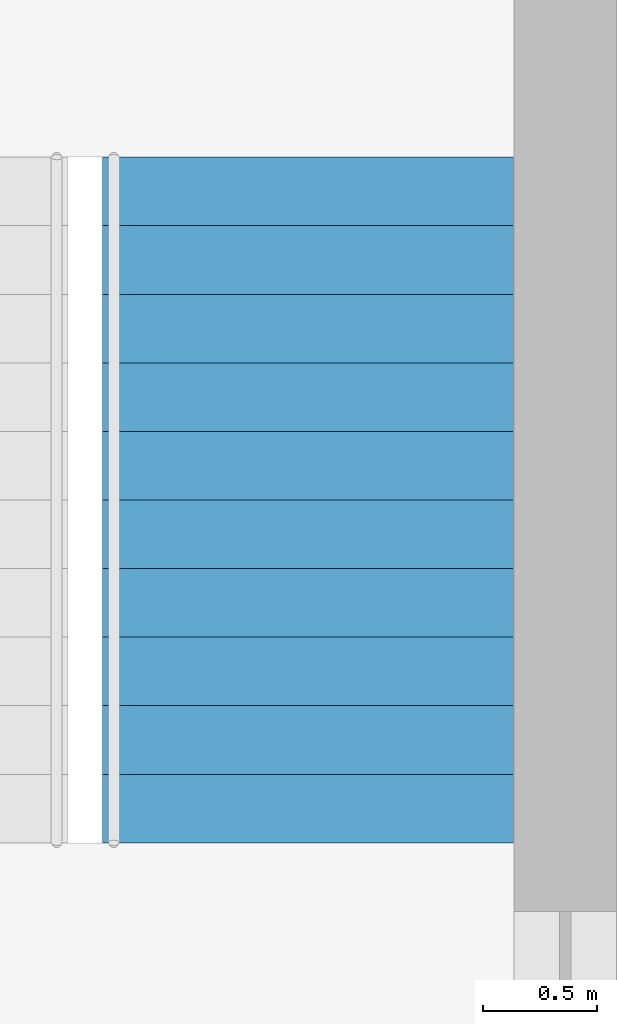
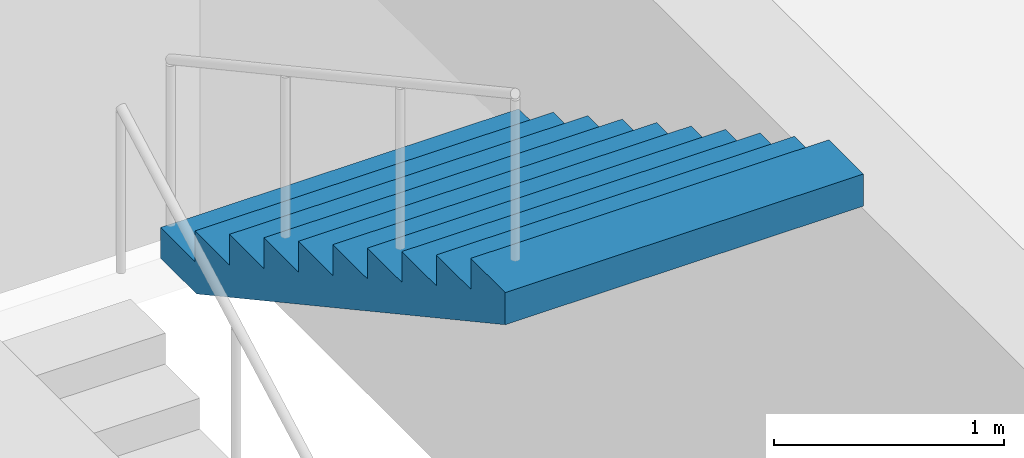
# One storey, part 16 of 17: 1 stair flight, 1 element without a shape of its own.
"""IFC4 building model written with IfcOpenShell, lengths in metres."""

from ifc_helpers import new_model, si_unit, direction, frame, origin, place, context, subcontext, project, spatial, polyline, outline, extrude, material, type_object, element, aggregate, save


model = new_model("IFC4")

# Units and contexts
model_context = context("Model", 3, precision=1e-05, world=origin(), true_north=direction((0.0, 1.0)))
body_context = subcontext(model_context, "Body", "Model", "MODEL_VIEW")
ifc_project = project(units=[si_unit("LENGTHUNIT", "METRE"), si_unit("AREAUNIT", "SQUARE_METRE"), si_unit("VOLUMEUNIT", "CUBIC_METRE"), si_unit("PLANEANGLEUNIT", "RADIAN"), si_unit("MASSUNIT", "GRAM", prefix="KILO")], contexts=[model_context])

# Site, building, storey
site_placement = place(None, origin())
site = spatial("IfcSite", under=ifc_project, at=site_placement, CompositionType="ELEMENT")
building_placement = place(site_placement, origin())
building = spatial("IfcBuilding", under=site, at=building_placement, Name="Dunama Terrace Hotel", CompositionType="ELEMENT")
storey_placement = place(building_placement, frame((0.0, 0.0, 81.0)))
storey = spatial("IfcBuildingStorey", under=building, at=storey_placement, Name="L20", CompositionType="ELEMENT", Elevation=81.0)

# Stair, stair flight
ifc_material_1 = material(Name="Concrete C40/50", Category="concrete")
stair_type = type_object("IfcStairType", Name="Stair ST1-3600-1800", PredefinedType="HALF_TURN_STAIR", material=ifc_material_1)
stair_placement = place(storey_placement, origin())
stair = element("IfcStair", 1, at=stair_placement, inside=storey, type_object=stair_type, Name="Stair ST1 L20", PredefinedType="HALF_TURN_STAIR")
ifc_material_2 = material(Name="Concrete C40/50", Category="concrete")
stair_flight_type = type_object("IfcStairFlightType", Name="Stair flight ST1-3600-1800", PredefinedType="STRAIGHT", material=ifc_material_2)
stair_flight_placement = place(storey_placement, frame((28.27490234375, 38.625, 1.800048828125), z_axis=(0.0, 0.0, 1.0), x_axis=(0.0, -1.0, 0.0)))
stair_flight = element("IfcStairFlight", 2, at=stair_flight_placement, type_object=stair_flight_type, Name="ST1 flight 2", NumberOfRisers=11, NumberOfTreads=10, PredefinedType="STRAIGHT", RiserHeight=0.163636364, TreadLength=0.3, context=body_context, shape_type="SweptSolid", body=[
    extrude(outline(polyline([(0.0, 0.0), (0.0, 0.16357421875), (0.300048828125, 0.16357421875), (0.300048828125, 0.327392578125), (0.60009765625, 0.327392578125), (0.60009765625, 0.490966796875), (0.89990234375, 0.490966796875), (0.89990234375, 0.654541015625), (1.199951171875, 0.654541015625), (1.199951171875, 0.818115234375), (1.5, 0.818115234375), (1.5, 0.98193359375), (1.800048828125, 0.98193359375), (1.800048828125, 1.1455078125), (2.10009765625, 1.1455078125), (2.10009765625, 1.30908203125), (2.39990234375, 1.30908203125), (2.39990234375, 1.47265625), (2.699951171875, 1.47265625), (2.699951171875, 1.636474609375), (3.0, 1.636474609375), (3.0, 1.800048828125), (3.0, 1.465576171875), (0.31298828125, 0.0), (0.0, 0.0)])), frame((0.0, 0.89990234375, 0.0), z_axis=(0.0, -1.0, 0.0), x_axis=(1.0, 0.0, 0.0)), (0.0, 0.0, 1.0), 1.800048828125),
])
aggregate(stair, [stair_flight])

save(model, "model.ifc")
